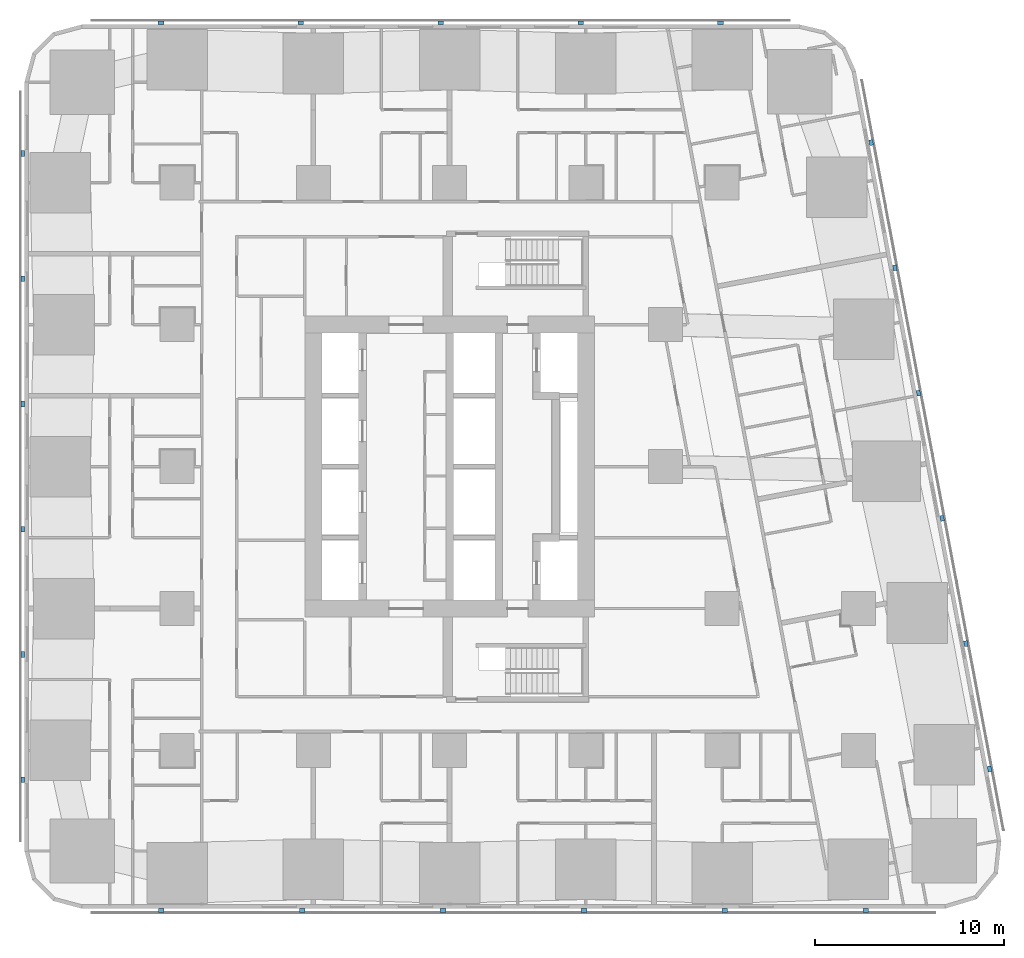
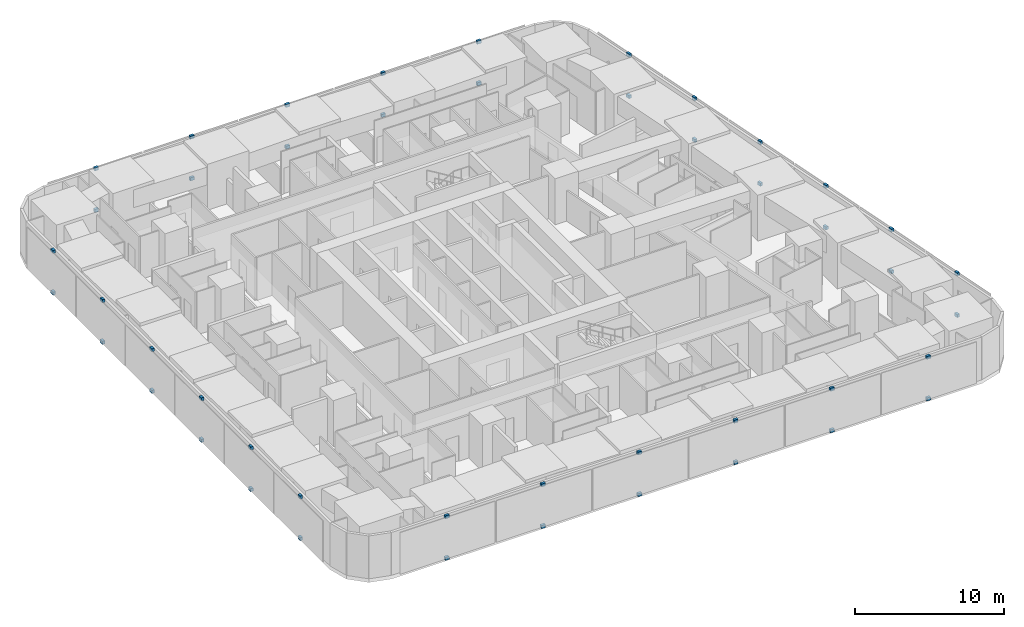
# One storey, part 15 of 18: 46 discrete accessories.
"""IFC4 building model written with IfcOpenShell, lengths in metres."""

import ifcopenshell
import ifcopenshell.guid

model = None  # the IFC model being written
_history = None  # IfcOwnerHistory: only IFC2X3 demands one
_inside = {}  # id of a spatial element -> (the spatial element, [elements in it])
_under = {}  # id of a project, library or spatial element -> (it, [spatial elements below it])
_declared = {}  # id of a project -> (the project, [libraries it declares])
_typed = {}  # id of a type object -> (the type object, [elements of that type])
_made_of = {}  # id of a material, layer set ... -> (it, [elements and type objects made of it])


def new_model(schema):
    """Start an empty IFC model of exactly this schema.

    Asked for "IFC4X3", IfcOpenShell would pick the latest addendum, in which some entities
    have other attributes; the version numbers below select the first issue.
    IFC2X3 requires an IfcOwnerHistory on every rooted entity: one is made here for all.
    """
    global model, _history
    if schema == "IFC4X3":
        model = ifcopenshell.file(schema_version=(4, 3, 0, 0))
    else:
        model = ifcopenshell.file(schema=schema)
    _inside.clear()
    _under.clear()
    _declared.clear()
    _typed.clear()
    _made_of.clear()
    _history = None
    if model.schema == "IFC2X3":
        org = make("IfcOrganization", Name="unknown")
        user = make(
            "IfcPersonAndOrganization",
            ThePerson=make("IfcPerson", FamilyName="unknown"),
            TheOrganization=org,
        )
        app = make(
            "IfcApplication",
            ApplicationDeveloper=org,
            Version="unknown",
            ApplicationFullName="unknown",
            ApplicationIdentifier="unknown",
        )
        _history = make(
            "IfcOwnerHistory",
            OwningUser=user,
            OwningApplication=app,
            ChangeAction="ADDED",
            CreationDate=0,
        )
    return model


def make(cls, **values):
    """One entity of the class cls with the attributes given. An attribute that is None is left unset."""
    return model.create_entity(
        cls, **{name: value for name, value in values.items() if value is not None}
    )


def rooted(cls, **values):
    """An entity with a GlobalId (a new one), such as an element, a storey or a relation."""
    return make(cls, GlobalId=ifcopenshell.guid.new(), OwnerHistory=_history, **values)


def si_unit(unit_type, name, prefix=None):
    """IfcSIUnit, for example si_unit("LENGTHUNIT", "METRE", prefix="MILLI")."""
    return make("IfcSIUnit", UnitType=unit_type, Prefix=prefix, Name=name)


def assignment(units):
    """IfcUnitAssignment: the units of a project."""
    return None if units is None else make("IfcUnitAssignment", Units=units)


def point(xyz):
    """IfcCartesianPoint."""
    return None if xyz is None else make("IfcCartesianPoint", Coordinates=xyz)


def direction(xyz):
    """IfcDirection."""
    return None if xyz is None else make("IfcDirection", DirectionRatios=xyz)


def frame(location, z_axis=None, x_axis=None):
    """IfcAxis2Placement3D, a coordinate frame: its origin and axes. An axis left out is left unset."""
    return make(
        "IfcAxis2Placement3D",
        Location=point(location),
        Axis=direction(z_axis),
        RefDirection=direction(x_axis),
    )


def frame_2d(location, x_axis=None):
    """IfcAxis2Placement2D, a coordinate frame in the plane: its origin and x axis."""
    return make(
        "IfcAxis2Placement2D", Location=point(location), RefDirection=direction(x_axis)
    )


def origin():
    """The frame at (0, 0, 0) with its axes left unset."""
    return frame((0.0, 0.0, 0.0))


def origin_2d():
    """The frame at (0, 0) in the plane with its x axis left unset."""
    return frame_2d((0.0, 0.0))


def place(relative_to, where):
    """IfcLocalPlacement: puts the frame where relative to a parent placement (None: the world)."""
    return make(
        "IfcLocalPlacement", PlacementRelTo=relative_to, RelativePlacement=where
    )


def context(
    kind, dimensions, precision=None, world=None, true_north=None, identifier=None
):
    """IfcGeometricRepresentationContext, for example the 3D "Model" context."""
    return make(
        "IfcGeometricRepresentationContext",
        ContextIdentifier=identifier,
        ContextType=kind,
        CoordinateSpaceDimension=dimensions,
        Precision=precision,
        WorldCoordinateSystem=world,
        TrueNorth=true_north,
    )


def subcontext(parent, identifier, kind, view, scale=None):
    """IfcGeometricRepresentationSubContext, for example "Body" below "Model"."""
    return make(
        "IfcGeometricRepresentationSubContext",
        ContextIdentifier=identifier,
        ContextType=kind,
        ParentContext=parent,
        TargetScale=scale,
        TargetView=view,
    )


def project(units=None, contexts=None):
    """IfcProject with its units and contexts."""
    return rooted(
        "IfcProject",
        Name="project",
        RepresentationContexts=contexts,
        UnitsInContext=assignment(units),
    )


def spatial(cls, under=None, at=None, **own):
    """A site, building, storey or space (cls), placed at a placement, below another one or the project."""
    s = rooted(cls, ObjectPlacement=at, **own)
    if under is not None:
        _under.setdefault(under.id(), (under, []))[1].append(s)
    return s


def profile(cls, at=None, kind="AREA", **sizes):
    """A parametric profile (cls). Its sizes go by their IFC names, for example OverallWidth=200.0."""
    return make(cls, ProfileType=kind, Position=at, **sizes)


def rectangle(**sizes):
    """IfcRectangleProfileDef."""
    return profile("IfcRectangleProfileDef", **sizes)


def extrude(swept, where, along, depth):
    """IfcExtrudedAreaSolid: the profile swept, set in the frame where, extruded along a direction by depth."""
    return make(
        "IfcExtrudedAreaSolid",
        SweptArea=swept,
        Position=where,
        ExtrudedDirection=direction(along),
        Depth=depth,
    )


def shape(context_of_items, identifier, shape_type, items):
    """IfcShapeRepresentation: the items that make up one representation, for example the "Body"."""
    return make(
        "IfcShapeRepresentation",
        ContextOfItems=context_of_items,
        RepresentationIdentifier=identifier,
        RepresentationType=shape_type,
        Items=items,
    )


def material(Name=None, Category=None):
    """IfcMaterial."""
    return make("IfcMaterial", Name=Name, Category=Category)


def made_of(thing, what):
    """Note that an element or type object is made of a material, layer set ...; save() writes the relation."""
    if what is not None:
        _made_of.setdefault(what.id(), (what, []))[1].append(thing)
    return thing


def type_object(cls, material=None, **own):
    """A type object (cls), such as IfcWallType, which elements share."""
    return made_of(rooted(cls, **own), material)


def element(
    cls,
    number,
    at=None,
    inside=None,
    cuts=None,
    type_object=None,
    material=None,
    context=None,
    identifier="Body",
    shape_type=None,
    held_by="IfcProductDefinitionShape",
    body=None,
    shapes=None,
    **own,
):
    """One element of the class cls, such as IfcWall. Its Tag is "e" and its number.

    at: its placement. inside: the storey or other place that contains it. cuts: it is an
    opening in that element (IfcRelVoidsElement). A single representation is given by context,
    identifier, shape_type and body (its items); several are given by shapes. held_by: the class
    of the entity that holds the representations. save() writes the other relations.
    """
    e = rooted(cls, Tag="e%d" % number, ObjectPlacement=at, **own)
    if body is not None:
        shapes = [shape(context, identifier, shape_type, body)]
    if shapes is not None:
        e.Representation = make(held_by, Representations=shapes)
    if inside is not None:
        _inside.setdefault(inside.id(), (inside, []))[1].append(e)
    if cuts is not None:
        rooted(
            "IfcRelVoidsElement", RelatingBuildingElement=cuts, RelatedOpeningElement=e
        )
    if type_object is not None:
        _typed.setdefault(type_object.id(), (type_object, []))[1].append(e)
    return made_of(e, material)


def aggregate(whole, parts):
    """IfcRelAggregates: a whole, such as a stair, and the parts it consists of."""
    return rooted("IfcRelAggregates", RelatingObject=whole, RelatedObjects=parts)


def save(model, path):
    """Write the relations noted so far, then the file.

    IfcRelAggregates (storeys below a building ...), IfcRelContainedInSpatialStructure (elements
    in a storey), IfcRelDefinesByType, IfcRelAssociatesMaterial and IfcRelDeclares: one each for
    every whole, place, type object, material and project.
    """
    for whole, parts in _under.values():
        aggregate(whole, parts)
    for where, things in _inside.values():
        rooted(
            "IfcRelContainedInSpatialStructure",
            RelatedElements=things,
            RelatingStructure=where,
        )
    for kind, things in _typed.values():
        rooted("IfcRelDefinesByType", RelatedObjects=things, RelatingType=kind)
    for what, things in _made_of.values():
        rooted("IfcRelAssociatesMaterial", RelatedObjects=things, RelatingMaterial=what)
    for by, libraries in _declared.values():
        rooted("IfcRelDeclares", RelatingContext=by, RelatedDefinitions=libraries)
    model.write(path)


model = new_model("IFC4")

# Units and contexts
model_context = context("Model", 3, precision=1e-05, world=origin(), true_north=direction((0.0, 1.0)))
body_context = subcontext(model_context, "Body", "Model", "MODEL_VIEW")
ifc_project = project(units=[si_unit("LENGTHUNIT", "METRE"), si_unit("AREAUNIT", "SQUARE_METRE"), si_unit("VOLUMEUNIT", "CUBIC_METRE"), si_unit("PLANEANGLEUNIT", "RADIAN"), si_unit("MASSUNIT", "GRAM", prefix="KILO")], contexts=[model_context])

# Site, building, storey
site_placement = place(None, origin())
site = spatial("IfcSite", under=ifc_project, at=site_placement, CompositionType="ELEMENT")
building_placement = place(site_placement, origin())
building = spatial("IfcBuilding", under=site, at=building_placement, Name="Sheger Commons Tower", CompositionType="ELEMENT")
storey_placement = place(building_placement, frame((0.0, 0.0, 20.0)))
storey = spatial("IfcBuildingStorey", under=building, at=storey_placement, Name="L04", CompositionType="ELEMENT", Elevation=20.0)

# Discrete accessories
ifc_material = material(Name="Black painted steel bracket", Category="steel")
discrete_accessory_type = type_object("IfcDiscreteAccessoryType", Name="SCREEN BRACKET 300x200x250", PredefinedType="BRACKET", material=ifc_material)
for number, where, z_axis, x_axis, name in (
    (1, (6.37109375, -0.949951171875, -0.10009765625), (0.0, 0.0, 1.0), (1.0, 0.0, 0.0), "Solar screen foot bracket"),
    (2, (6.37109375, -0.949951171875, 3.300048828125), (0.0, 0.0, 1.0), (1.0, 0.0, 0.0), "Solar screen head bracket"),
    (3, (13.81396484375, -0.949951171875, -0.10009765625), (0.0, 0.0, 1.0), (1.0, 0.0, 0.0), "Solar screen foot bracket"),
    (4, (13.81396484375, -0.949951171875, 3.300048828125), (0.0, 0.0, 1.0), (1.0, 0.0, 0.0), "Solar screen head bracket"),
    (5, (21.257080078125, -0.949951171875, -0.10009765625), (0.0, 0.0, 1.0), (1.0, 0.0, 0.0), "Solar screen foot bracket"),
    (6, (21.257080078125, -0.949951171875, 3.300048828125), (0.0, 0.0, 1.0), (1.0, 0.0, 0.0), "Solar screen head bracket"),
    (7, (28.698974609375, -0.949951171875, -0.10009765625), (0.0, 0.0, 1.0), (1.0, 0.0, 0.0), "Solar screen foot bracket"),
    (8, (28.698974609375, -0.949951171875, 3.300048828125), (0.0, 0.0, 1.0), (1.0, 0.0, 0.0), "Solar screen head bracket"),
    (9, (36.14208984375, -0.949951171875, -0.10009765625), (0.0, 0.0, 1.0), (1.0, 0.0, 0.0), "Solar screen foot bracket"),
    (10, (36.14208984375, -0.949951171875, 3.300048828125), (0.0, 0.0, 1.0), (1.0, 0.0, 0.0), "Solar screen head bracket"),
    (11, (43.5849609375, -0.949951171875, -0.10009765625), (0.0, 0.0, 1.0), (1.0, 0.0, 0.0), "Solar screen foot bracket"),
    (12, (43.5849609375, -0.949951171875, 3.300048828125), (0.0, 0.0, 1.0), (1.0, 0.0, 0.0), "Solar screen head bracket"),
    (13, (50.134033203125, 6.527099609375, -0.10009765625), (0.0, 0.0, 1.0), (-0.185615165645, 0.982622516678, 0.0), "Solar screen foot bracket"),
    (14, (50.134033203125, 6.527099609375, 3.300048828125), (0.0, 0.0, 1.0), (-0.185615165645, 0.982622516678, 0.0), "Solar screen head bracket"),
    (15, (48.884033203125, 13.14599609375, -0.10009765625), (0.0, 0.0, 1.0), (-0.185615165645, 0.982622516678, 0.0), "Solar screen foot bracket"),
    (16, (48.884033203125, 13.14599609375, 3.300048828125), (0.0, 0.0, 1.0), (-0.185615165645, 0.982622516678, 0.0), "Solar screen head bracket"),
    (17, (47.633056640625, 19.76611328125, -0.10009765625), (0.0, 0.0, 1.0), (-0.185615165645, 0.982622516678, 0.0), "Solar screen foot bracket"),
    (18, (47.633056640625, 19.76611328125, 3.300048828125), (0.0, 0.0, 1.0), (-0.185615165645, 0.982622516678, 0.0), "Solar screen head bracket"),
    (19, (46.383056640625, 26.385009765625, -0.10009765625), (0.0, 0.0, 1.0), (-0.185615165645, 0.982622516678, 0.0), "Solar screen foot bracket"),
    (20, (46.383056640625, 26.385009765625, 3.300048828125), (0.0, 0.0, 1.0), (-0.185615165645, 0.982622516678, 0.0), "Solar screen head bracket"),
    (21, (45.133056640625, 33.0048828125, -0.10009765625), (0.0, 0.0, 1.0), (-0.185615165645, 0.982622516678, 0.0), "Solar screen foot bracket"),
    (22, (45.133056640625, 33.0048828125, 3.300048828125), (0.0, 0.0, 1.0), (-0.185615165645, 0.982622516678, 0.0), "Solar screen head bracket"),
    (23, (43.882080078125, 39.6240234375, -0.10009765625), (0.0, 0.0, 1.0), (-0.185615165645, 0.982622516678, 0.0), "Solar screen foot bracket"),
    (24, (43.882080078125, 39.6240234375, 3.300048828125), (0.0, 0.0, 1.0), (-0.185615165645, 0.982622516678, 0.0), "Solar screen head bracket"),
    (25, (35.9208984375, 45.949951171875, -0.10009765625), (0.0, 0.0, 1.0), (-1.0, 0.0, 0.0), "Solar screen foot bracket"),
    (26, (35.9208984375, 45.949951171875, 3.300048828125), (0.0, 0.0, 1.0), (-1.0, 0.0, 0.0), "Solar screen head bracket"),
    (27, (28.528076171875, 45.949951171875, -0.10009765625), (0.0, 0.0, 1.0), (-1.0, 0.0, 0.0), "Solar screen foot bracket"),
    (28, (28.528076171875, 45.949951171875, 3.300048828125), (0.0, 0.0, 1.0), (-1.0, 0.0, 0.0), "Solar screen head bracket"),
    (29, (21.134033203125, 45.949951171875, -0.10009765625), (0.0, 0.0, 1.0), (-1.0, 0.0, 0.0), "Solar screen foot bracket"),
    (30, (21.134033203125, 45.949951171875, 3.300048828125), (0.0, 0.0, 1.0), (-1.0, 0.0, 0.0), "Solar screen head bracket"),
    (31, (13.739990234375, 45.949951171875, -0.10009765625), (0.0, 0.0, 1.0), (-1.0, 0.0, 0.0), "Solar screen foot bracket"),
    (32, (13.739990234375, 45.949951171875, 3.300048828125), (0.0, 0.0, 1.0), (-1.0, 0.0, 0.0), "Solar screen head bracket"),
    (33, (6.346923828125, 45.949951171875, -0.10009765625), (0.0, 0.0, 1.0), (-1.0, 0.0, 0.0), "Solar screen foot bracket"),
    (34, (6.346923828125, 45.949951171875, 3.300048828125), (0.0, 0.0, 1.0), (-1.0, 0.0, 0.0), "Solar screen head bracket"),
    (35, (-0.949951171875, 39.0419921875, -0.10009765625), (0.0, 0.0, 1.0), (0.0, -1.0, 0.0), "Solar screen foot bracket"),
    (36, (-0.949951171875, 39.0419921875, 3.300048828125), (0.0, 0.0, 1.0), (0.0, -1.0, 0.0), "Solar screen head bracket"),
    (37, (-0.949951171875, 32.425048828125, -0.10009765625), (0.0, 0.0, 1.0), (0.0, -1.0, 0.0), "Solar screen foot bracket"),
    (38, (-0.949951171875, 32.425048828125, 3.300048828125), (0.0, 0.0, 1.0), (0.0, -1.0, 0.0), "Solar screen head bracket"),
    (39, (-0.949951171875, 25.80810546875, -0.10009765625), (0.0, 0.0, 1.0), (0.0, -1.0, 0.0), "Solar screen foot bracket"),
    (40, (-0.949951171875, 25.80810546875, 3.300048828125), (0.0, 0.0, 1.0), (0.0, -1.0, 0.0), "Solar screen head bracket"),
    (41, (-0.949951171875, 19.19189453125, -0.10009765625), (0.0, 0.0, 1.0), (0.0, -1.0, 0.0), "Solar screen foot bracket"),
    (42, (-0.949951171875, 19.19189453125, 3.300048828125), (0.0, 0.0, 1.0), (0.0, -1.0, 0.0), "Solar screen head bracket"),
    (43, (-0.949951171875, 12.574951171875, -0.10009765625), (0.0, 0.0, 1.0), (0.0, -1.0, 0.0), "Solar screen foot bracket"),
    (44, (-0.949951171875, 12.574951171875, 3.300048828125), (0.0, 0.0, 1.0), (0.0, -1.0, 0.0), "Solar screen head bracket"),
    (45, (-0.949951171875, 5.9580078125, -0.10009765625), (0.0, 0.0, 1.0), (0.0, -1.0, 0.0), "Solar screen foot bracket"),
    (46, (-0.949951171875, 5.9580078125, 3.300048828125), (0.0, 0.0, 1.0), (0.0, -1.0, 0.0), "Solar screen head bracket"),
):
    element("IfcDiscreteAccessory", number, at=place(storey_placement, frame(where, z_axis=z_axis, x_axis=x_axis)), inside=storey, type_object=discrete_accessory_type, Name=name, PredefinedType="BRACKET", context=body_context, shape_type="SweptSolid", body=[
        extrude(rectangle(XDim=0.300048828125, YDim=0.199951171875, at=origin_2d()), origin(), (0.0, 0.0, 1.0), 0.25),
    ])

save(model, "model.ifc")
